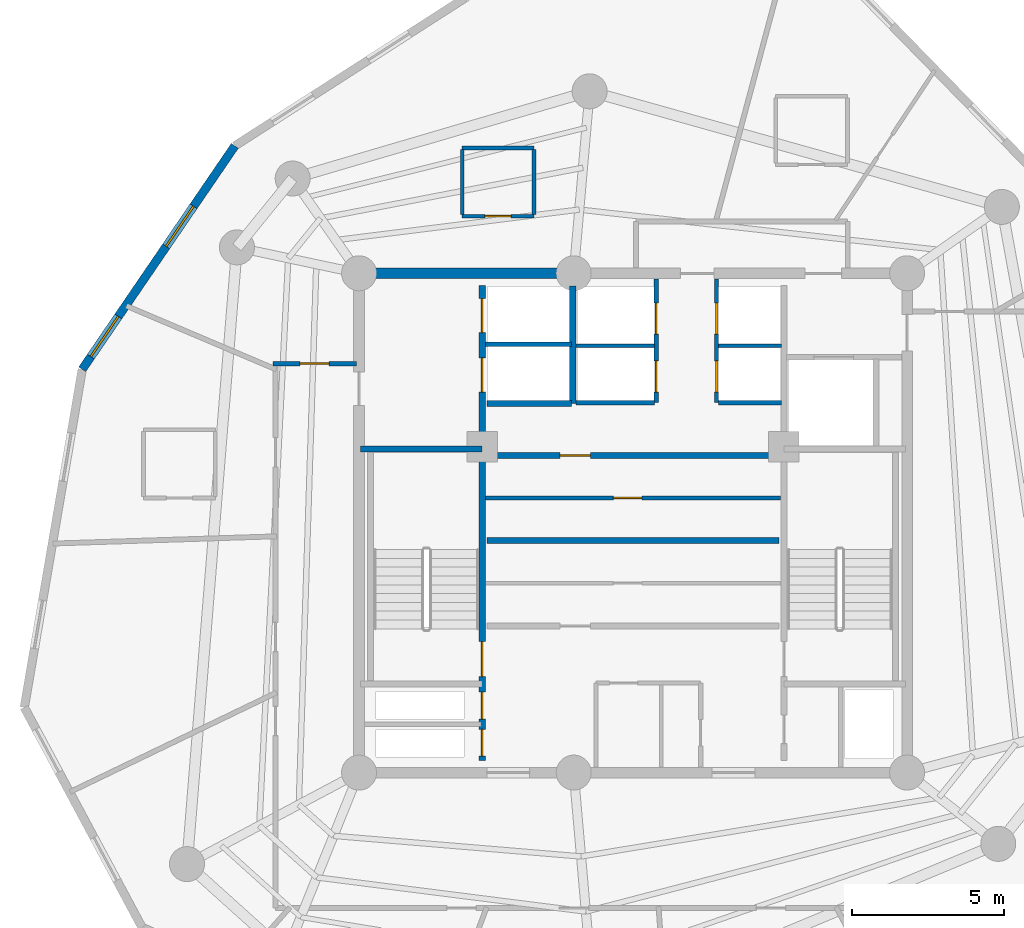
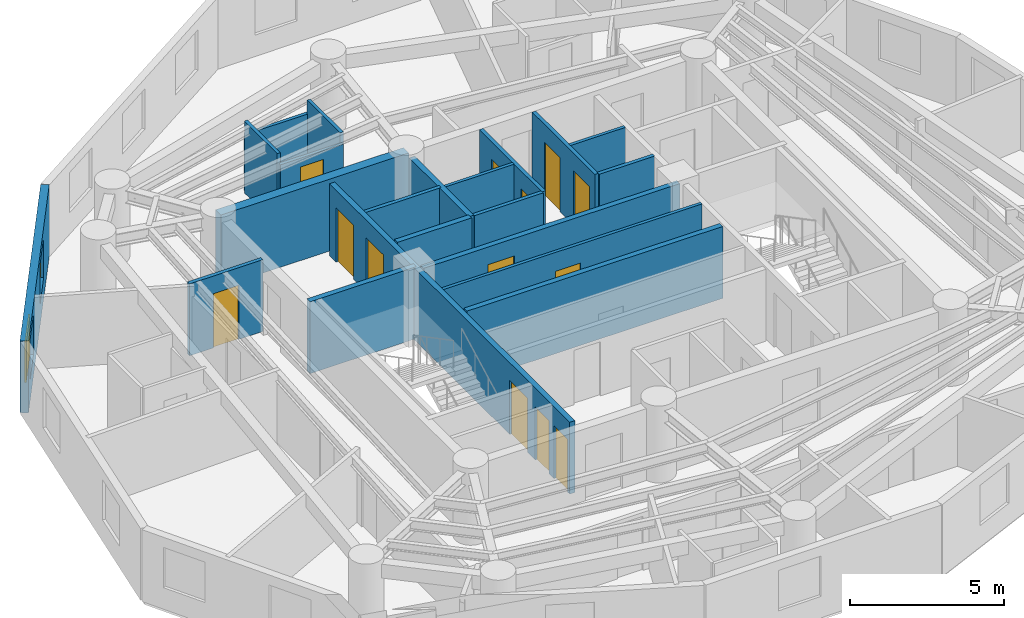
# One storey, part 4 of 7: 21 walls, 13 doors, 2 windows, 15 openings.
"""IFC4 building model written with IfcOpenShell, lengths in metres."""

from ifc_helpers import new_model, si_unit, direction, frame, frame_2d, origin, origin_with_axes, place, context, subcontext, project, spatial, rectangle, extrude, source, transform, mapped, material, layer, layer_set, type_object, element, fill, save


model = new_model("IFC4")

# Units and contexts
model_context = context("Model", 3, precision=1e-05, world=origin(), true_north=direction((0.0, 1.0)))
body_context = subcontext(model_context, "Body", "Model", "MODEL_VIEW")
ifc_project = project(units=[si_unit("LENGTHUNIT", "METRE"), si_unit("AREAUNIT", "SQUARE_METRE"), si_unit("VOLUMEUNIT", "CUBIC_METRE"), si_unit("PLANEANGLEUNIT", "RADIAN"), si_unit("MASSUNIT", "GRAM", prefix="KILO")], contexts=[model_context])

# Site, building, storey
site_placement = place(None, origin())
site = spatial("IfcSite", under=ifc_project, at=site_placement, CompositionType="ELEMENT")
building_placement = place(site_placement, origin())
building = spatial("IfcBuilding", under=site, at=building_placement, Name="Karkom Vertical University and Central Library", CompositionType="ELEMENT")
storey_placement = place(building_placement, frame((0.0, 0.0, 256.550048828125)))
storey = spatial("IfcBuildingStorey", under=building, at=storey_placement, Name="L76", CompositionType="ELEMENT", Elevation=256.550048828125)

# Wall, openings, windows
ifc_material_1 = material(Name="Brick-faced precast concrete C45/55", Category="masonry")
ifc_layer_1 = layer(ifc_material_1, 0.280029296875)
ifc_layer_set_1 = layer_set([ifc_layer_1], Name="Brick-faced precast concrete C45/55")
wall_type_1 = type_object("IfcWallType", Name="ENV-WL-BRK-280", PredefinedType="SOLIDWALL", material=ifc_layer_set_1)
wall_1_placement = place(storey_placement, frame((15.41943359375, 38.886962890625, 0.0), z_axis=(0.0, 0.0, 1.0), x_axis=(-0.564013262642, -0.825765729226, 0.0)))
wall_1 = element("IfcWall", 1, at=wall_1_placement, inside=storey, type_object=wall_type_1, Name="Level 76 Brick-Faced Precast Facade Wall 11", PredefinedType="SOLIDWALL", context=body_context, shape_type="SweptSolid", body=[
    extrude(rectangle(XDim=8.8896484375, YDim=0.280029296875, at=frame_2d((4.44482421875, 0.0))), origin(), (0.0, 0.0, 1.0), 2.849853515625),
])
opening_1_placement = place(wall_1_placement, frame((2.401611328125, 0.0, 0.85009765625)))
opening_1 = element("IfcOpeningElement", 2, at=opening_1_placement, cuts=wall_1, Name="Opening WN-10", PredefinedType="OPENING", context=body_context, shape_type="SweptSolid", body=[
    extrude(rectangle(XDim=1.60009765625, YDim=1.60009765625, at=frame_2d((0.800048828125, 0.800048828125))), frame((0.0, 0.14990234375, 0.0), z_axis=(0.0, -1.0, 0.0), x_axis=(1.0, 0.0, 0.0)), (0.0, 0.0, 1.0), 0.300048828125),
])
opening_2_placement = place(wall_1_placement, frame((6.786376953125, 0.0, 0.85009765625)))
opening_2 = element("IfcOpeningElement", 3, at=opening_2_placement, cuts=wall_1, Name="Opening WN-10", PredefinedType="OPENING", context=body_context, shape_type="SweptSolid", body=[
    extrude(rectangle(XDim=1.60009765625, YDim=1.60009765625, at=frame_2d((0.800048828125, 0.800048828125))), frame((0.0, 0.14990234375, 0.0), z_axis=(0.0, -1.0, 0.0), x_axis=(1.0, 0.0, 0.0)), (0.0, 0.0, 1.0), 0.300048828125),
])
ifc_material_2 = material(Name="Aluminium thermal-break frame with solar-control IGU", Category="aluminium")
window_type = type_object("IfcWindowType", Name="ENV-WIN-WN-10", PartitioningType="SINGLE_PANEL", PredefinedType="WINDOW", material=ifc_material_2)
shared_shape_1 = source(origin_with_axes(), body_context, "Body", "SweptSolid", [
    extrude(rectangle(XDim=1.60009765625, YDim=1.60009765625, at=frame_2d((0.800048828125, 0.800048828125))), frame((0.0, 0.030029296875, 0.0), z_axis=(0.0, -1.0, 0.0), x_axis=(1.0, 0.0, 0.0)), (0.0, 0.0, 1.0), 0.06005859375),
])
window_1_placement = place(opening_1_placement, origin())
window_1 = element("IfcWindow", 4, at=window_1_placement, inside=storey, type_object=window_type, Name="Level 76 Punched Window 11.1", OverallHeight=1.60009765625, OverallWidth=1.60009765625, PartitioningType="SINGLE_PANEL", PredefinedType="WINDOW", context=body_context, shape_type="MappedRepresentation", body=[
    mapped(shared_shape_1, transform((0.0, 0.0, 0.0), scale=1.0)),
])
fill(opening_1, window_1)
window_2_placement = place(opening_2_placement, origin())
window_2 = element("IfcWindow", 5, at=window_2_placement, inside=storey, type_object=window_type, Name="Level 76 Punched Window 11.2", OverallHeight=1.60009765625, OverallWidth=1.60009765625, PartitioningType="SINGLE_PANEL", PredefinedType="WINDOW", context=body_context, shape_type="MappedRepresentation", body=[
    mapped(shared_shape_1, transform((0.0, 0.0, 0.0), scale=1.0)),
])
fill(opening_2, window_2)

# Wall, opening, door
ifc_material_3 = material(Name="Moisture-resistant drywall 120mm", Category="gypsum")
ifc_layer_2 = layer(ifc_material_3, 0.1201171875)
ifc_layer_set_2 = layer_set([ifc_layer_2], Name="Moisture-resistant drywall 120mm")
wall_type_2 = type_object("IfcWallType", Name="INT-WL-INT-120F", PredefinedType="PARTITIONING", material=ifc_layer_set_2)
wall_2_placement = place(storey_placement, frame((23.652099609375, 27.320068359375, 0.0), z_axis=(0.0, 0.0, 1.0), x_axis=(1.0, 0.0, 0.0)))
wall_2 = element("IfcWall", 6, at=wall_2_placement, inside=storey, type_object=wall_type_2, Name="Level 76 Interior Partition Wall L76-CW-B2-K3H", PredefinedType="PARTITIONING", context=body_context, shape_type="SweptSolid", body=[
    extrude(rectangle(XDim=9.697509765625, YDim=0.1201171875, at=frame_2d((4.8486328125, 0.0))), origin(), (0.0, 0.0, 1.0), 2.849853515625),
])
opening_3_placement = place(wall_2_placement, frame((4.199951171875, 0.0, 0.0)))
opening_3 = element("IfcOpeningElement", 7, at=opening_3_placement, cuts=wall_2, Name="Opening D-WC1", PredefinedType="OPENING", context=body_context, shape_type="SweptSolid", body=[
    extrude(rectangle(XDim=0.93994140625, YDim=2.10009765625, at=frame_2d((0.469970703125, 1.050048828125))), frame((0.0, 0.070068359375, 0.0), z_axis=(0.0, -1.0, 0.0), x_axis=(1.0, 0.0, 0.0)), (0.0, 0.0, 1.0), 0.14013671875),
])
ifc_material_4 = material(Name="Fire-rated laminate moisture-resistant door", Category="wood")
door_type_1 = type_object("IfcDoorType", Name="INT-DR-WC1", OperationType="NOTDEFINED", PredefinedType="DOOR", material=ifc_material_4)
shared_shape_2 = source(origin_with_axes(), body_context, "Body", "SweptSolid", [
    extrude(rectangle(XDim=0.93994140625, YDim=2.10009765625, at=frame_2d((0.469970703125, 1.050048828125))), frame((0.0, 0.02490234375, 0.0), z_axis=(0.0, -1.0, 0.0), x_axis=(1.0, 0.0, 0.0)), (0.0, 0.0, 1.0), 0.050048828125),
])
door_1_placement = place(opening_3_placement, origin())
door_1 = element("IfcDoor", 8, at=door_1_placement, inside=storey, type_object=door_type_1, Name="Level 76 B2 Core WC Strip Door", OperationType="SINGLE_SWING_LEFT", OverallHeight=2.10009765625, OverallWidth=0.93994140625, PredefinedType="DOOR", context=body_context, shape_type="MappedRepresentation", body=[
    mapped(shared_shape_2, transform((0.0, 0.0, 0.0), scale=1.0)),
])
fill(opening_3, door_1)

wall_3_placement = place(storey_placement, frame((22.885009765625, 36.575927734375, 0.0), z_axis=(0.0, 0.0, 1.0), x_axis=(1.0, 0.0, 0.0)))
wall_3 = element("IfcWall", 9, at=wall_3_placement, inside=storey, type_object=wall_type_2, Name="Level 76 Interior Partition Wall L76-ENS-49-S", PredefinedType="PARTITIONING", context=body_context, shape_type="SweptSolid", body=[
    extrude(rectangle(XDim=2.360107421875, YDim=0.1201171875, at=frame_2d((1.18017578125, 0.0))), origin(), (0.0, 0.0, 1.0), 2.449951171875),
])
opening_4_placement = place(wall_3_placement, frame((0.75, 0.0, 0.0)))
opening_4 = element("IfcOpeningElement", 10, at=opening_4_placement, cuts=wall_3, Name="Opening D-BATH", PredefinedType="OPENING", context=body_context, shape_type="SweptSolid", body=[
    extrude(rectangle(XDim=0.860107421875, YDim=2.10009765625, at=frame_2d((0.43017578125, 1.050048828125))), frame((0.0, 0.070068359375, 0.0), z_axis=(0.0, -1.0, 0.0), x_axis=(1.0, 0.0, 0.0)), (0.0, 0.0, 1.0), 0.14013671875),
])
ifc_material_5 = material(Name="Moisture-resistant oak door", Category="wood")
door_type_2 = type_object("IfcDoorType", Name="INT-DR-BATH", OperationType="NOTDEFINED", PredefinedType="DOOR", material=ifc_material_5)
shared_shape_3 = source(origin_with_axes(), body_context, "Body", "SweptSolid", [
    extrude(rectangle(XDim=0.860107421875, YDim=2.10009765625, at=frame_2d((0.43017578125, 1.050048828125))), frame((0.0, 0.02490234375, 0.0), z_axis=(0.0, -1.0, 0.0), x_axis=(1.0, 0.0, 0.0)), (0.0, 0.0, 1.0), 0.050048828125),
])
door_2_placement = place(opening_4_placement, origin())
door_2 = element("IfcDoor", 11, at=door_2_placement, inside=storey, type_object=door_type_2, Name="Level 76 En-Suite Bathroom Door 49", OperationType="SINGLE_SWING_RIGHT", OverallHeight=2.10009765625, OverallWidth=0.860107421875, PredefinedType="DOOR", context=body_context, shape_type="MappedRepresentation", body=[
    mapped(shared_shape_3, transform((0.0, 0.0, 0.0), scale=1.0)),
])
fill(opening_4, door_2)

# Walls
wall_4_placement = place(storey_placement, frame((25.2451171875, 38.81591796875, 0.0), z_axis=(0.0, 0.0, 1.0), x_axis=(-1.0, 0.0, 0.0)))
element("IfcWall", 12, at=wall_4_placement, inside=storey, type_object=wall_type_2, Name="Level 76 Interior Partition Wall L76-ENS-49-N", PredefinedType="PARTITIONING", context=body_context, shape_type="SweptSolid", body=[
    extrude(rectangle(XDim=2.360107421875, YDim=0.1201171875, at=frame_2d((1.18017578125, 0.0))), origin(), (0.0, 0.0, 1.0), 2.300048828125),
])
for number, where, z_axis, x_axis, name in (
    (13, (25.2451171875, 36.6259765625, 0.0), (0.0, 0.0, 1.0), (0.0, 1.0, 0.0), "Level 76 Interior Partition Wall L76-ENS-49-E"),
    (14, (22.885009765625, 38.76611328125, 0.0), (0.0, 0.0, 1.0), (0.0, -1.0, 0.0), "Level 76 Interior Partition Wall L76-ENS-49-W"),
):
    element("IfcWall", number, at=place(storey_placement, frame(where, z_axis=z_axis, x_axis=x_axis)), inside=storey, type_object=wall_type_2, Name=name, PredefinedType="PARTITIONING", context=body_context, shape_type="SweptSolid", body=[
        extrude(rectangle(XDim=2.14013671875, YDim=0.1201171875, at=frame_2d((1.070068359375, 0.0))), origin(), (0.0, 0.0, 1.0), 2.849853515625),
    ])
ifc_layer_3 = layer(ifc_material_3, 0.1201171875)
ifc_layer_set_3 = layer_set([ifc_layer_3], Name="Moisture-resistant drywall 120mm")
wall_type_3 = type_object("IfcWallType", Name="INT-WL-INT-120H", PredefinedType="PARTITIONING", material=ifc_layer_set_3)
wall_5_placement = place(storey_placement, frame((26.6201171875, 32.320068359375, 0.0), z_axis=(0.0, 0.0, 1.0), x_axis=(1.0, 0.0, 0.0)))
element("IfcWall", 15, at=wall_5_placement, inside=storey, type_object=wall_type_3, Name="Level 76 Interior Partition Wall L76-CW-PH-MW", PredefinedType="PARTITIONING", context=body_context, shape_type="SweptSolid", body=[
    extrude(rectangle(XDim=2.579833984375, YDim=0.1201171875, at=frame_2d((1.2900390625, 0.0))), origin(), (0.0, 0.0, 1.0), 2.849853515625),
])
wall_6_placement = place(storey_placement, frame((31.300048828125, 32.320068359375, 0.0), z_axis=(0.0, 0.0, 1.0), x_axis=(1.0, 0.0, 0.0)))
element("IfcWall", 16, at=wall_6_placement, inside=storey, type_object=wall_type_3, Name="Level 76 Interior Partition Wall L76-CW-PH-ME", PredefinedType="PARTITIONING", context=body_context, shape_type="SweptSolid", body=[
    extrude(rectangle(XDim=2.074951171875, YDim=0.1201171875, at=frame_2d((1.03759765625, 0.0))), origin(), (0.0, 0.0, 1.0), 2.849853515625),
])

# Wall, opening, door
ifc_material_6 = material(Name="Metal-stud gypsum partition 140mm", Category="gypsum")
ifc_layer_4 = layer(ifc_material_6, 0.139892578125)
ifc_layer_set_4 = layer_set([ifc_layer_4], Name="Metal-stud gypsum partition 140mm")
wall_type_4 = type_object("IfcWallType", Name="INT-WL-SUB-140", PredefinedType="PARTITIONING", material=ifc_layer_set_4)
wall_7_placement = place(storey_placement, frame((19.419921875, 31.72998046875, 0.0), z_axis=(0.0, 0.0, 1.0), x_axis=(-1.0, 0.0, 0.0)))
wall_7 = element("IfcWall", 17, at=wall_7_placement, inside=storey, type_object=wall_type_4, Name="Level 76 Interior Partition Wall L76-CWALL-418", PredefinedType="PARTITIONING", context=body_context, shape_type="SweptSolid", body=[
    extrude(rectangle(XDim=2.75, YDim=0.139892578125, at=frame_2d((1.375, 0.0))), origin(), (0.0, 0.0, 1.0), 2.849853515625),
])
opening_5_placement = place(wall_7_placement, frame((0.89990234375, 0.0, 0.0)))
opening_5 = element("IfcOpeningElement", 18, at=opening_5_placement, cuts=wall_7, Name="Opening FD-RM2", PredefinedType="OPENING", context=body_context, shape_type="SweptSolid", body=[
    extrude(rectangle(XDim=0.9599609375, YDim=2.14990234375, at=frame_2d((0.47998046875, 1.074951171875))), frame((0.0, 0.080078125, 0.0), z_axis=(0.0, -1.0, 0.0), x_axis=(1.0, 0.0, 0.0)), (0.0, 0.0, 1.0), 0.159912109375),
])
ifc_material_7 = material(Name="Fire-rated oak veneer door", Category="wood")
door_type_3 = type_object("IfcDoorType", Name="INT-DR-FRM2", OperationType="NOTDEFINED", PredefinedType="DOOR", material=ifc_material_7)
shared_shape_4 = source(origin_with_axes(), body_context, "Body", "SweptSolid", [
    extrude(rectangle(XDim=0.9599609375, YDim=2.14990234375, at=frame_2d((0.47998046875, 1.074951171875))), frame((0.0, 0.02490234375, 0.0), z_axis=(0.0, -1.0, 0.0), x_axis=(1.0, 0.0, 0.0)), (0.0, 0.0, 1.0), 0.050048828125),
])
door_3_placement = place(opening_5_placement, origin())
door_3 = element("IfcDoor", 19, at=door_3_placement, inside=storey, type_object=door_type_3, Name="Level 76 Room Entry Door 418", OperationType="SINGLE_SWING_LEFT", OverallHeight=2.14990234375, OverallWidth=0.9599609375, PredefinedType="DOOR", context=body_context, shape_type="MappedRepresentation", body=[
    mapped(shared_shape_4, transform((0.0, 0.0, 0.0), scale=1.0)),
])
fill(opening_5, door_3)

# Wall, openings, doors
ifc_layer_5 = layer(ifc_material_6, 0.139892578125)
ifc_layer_set_5 = layer_set([ifc_layer_5], Name="Metal-stud gypsum partition 140mm")
wall_type_5 = type_object("IfcWallType", Name="INT-WL-SUB-140H", PredefinedType="PARTITIONING", material=ifc_layer_set_5)
wall_8_placement = place(storey_placement, frame((29.260009765625, 30.449951171875, 0.0), z_axis=(0.0, 0.0, 1.0), x_axis=(0.0, 1.0, 0.0)))
wall_8 = element("IfcWall", 20, at=wall_8_placement, inside=storey, type_object=wall_type_5, Name="Level 76 Interior Partition Wall L76-CW-PH-W", PredefinedType="PARTITIONING", context=body_context, shape_type="SweptSolid", body=[
    extrude(rectangle(XDim=4.068115234375, YDim=0.139892578125, at=frame_2d((2.0341796875, 0.0))), origin(), (0.0, 0.0, 1.0), 2.849853515625),
])
opening_6_placement = place(wall_8_placement, frame((0.35009765625, 0.0, 0.0)))
opening_6 = element("IfcOpeningElement", 21, at=opening_6_placement, cuts=wall_8, Name="Opening LD-PH", PredefinedType="OPENING", context=body_context, shape_type="SweptSolid", body=[
    extrude(rectangle(XDim=1.02001953125, YDim=2.14990234375, at=frame_2d((0.510009765625, 1.074951171875))), frame((0.0, 0.080078125, 0.0), z_axis=(0.0, -1.0, 0.0), x_axis=(1.0, 0.0, 0.0)), (0.0, 0.0, 1.0), 0.159912109375),
])
opening_7_placement = place(wall_8_placement, frame((2.25, 0.0, 0.0)))
opening_7 = element("IfcOpeningElement", 22, at=opening_7_placement, cuts=wall_8, Name="Opening LD-PH", PredefinedType="OPENING", context=body_context, shape_type="SweptSolid", body=[
    extrude(rectangle(XDim=1.02001953125, YDim=2.14990234375, at=frame_2d((0.510009765625, 1.074951171875))), frame((0.0, 0.080078125, 0.0), z_axis=(0.0, -1.0, 0.0), x_axis=(1.0, 0.0, 0.0)), (0.0, 0.0, 1.0), 0.159912109375),
])
ifc_material_8 = material(Name="Brushed stainless-steel landing door", Category="steel")
door_type_4 = type_object("IfcDoorType", Name="INT-DR-LD-PH", OperationType="SLIDING_TO_LEFT", PredefinedType="DOOR", material=ifc_material_8)
shared_shape_5 = source(origin_with_axes(), body_context, "Body", "SweptSolid", [
    extrude(rectangle(XDim=1.02001953125, YDim=2.14990234375, at=frame_2d((0.510009765625, 1.074951171875))), frame((0.0, 0.02490234375, 0.0), z_axis=(0.0, -1.0, 0.0), x_axis=(1.0, 0.0, 0.0)), (0.0, 0.0, 1.0), 0.050048828125),
])
door_4_placement = place(opening_6_placement, origin())
door_4 = element("IfcDoor", 23, at=door_4_placement, inside=storey, type_object=door_type_4, Name="Level 76 Lift PH-1 Landing Door", OperationType="SLIDING_TO_LEFT", OverallHeight=2.14990234375, OverallWidth=1.02001953125, PredefinedType="DOOR", context=body_context, shape_type="MappedRepresentation", body=[
    mapped(shared_shape_5, transform((0.0, 0.0, 0.0), scale=1.0)),
])
fill(opening_6, door_4)
door_5_placement = place(opening_7_placement, origin())
door_5 = element("IfcDoor", 24, at=door_5_placement, inside=storey, type_object=door_type_4, Name="Level 76 Lift PH-2 Landing Door", OperationType="SLIDING_TO_LEFT", OverallHeight=2.14990234375, OverallWidth=1.02001953125, PredefinedType="DOOR", context=body_context, shape_type="MappedRepresentation", body=[
    mapped(shared_shape_5, transform((0.0, 0.0, 0.0), scale=1.0)),
])
fill(opening_7, door_5)

wall_9_placement = place(storey_placement, frame((31.239990234375, 30.449951171875, 0.0), z_axis=(0.0, 0.0, 1.0), x_axis=(0.0, 1.0, 0.0)))
wall_9 = element("IfcWall", 25, at=wall_9_placement, inside=storey, type_object=wall_type_5, Name="Level 76 Interior Partition Wall L76-CW-PH-E", PredefinedType="PARTITIONING", context=body_context, shape_type="SweptSolid", body=[
    extrude(rectangle(XDim=4.068115234375, YDim=0.139892578125, at=frame_2d((2.0341796875, 0.0))), origin(), (0.0, 0.0, 1.0), 2.849853515625),
])
opening_8_placement = place(wall_9_placement, frame((0.35009765625, 0.0, 0.0)))
opening_8 = element("IfcOpeningElement", 26, at=opening_8_placement, cuts=wall_9, Name="Opening LD-PH", PredefinedType="OPENING", context=body_context, shape_type="SweptSolid", body=[
    extrude(rectangle(XDim=1.02001953125, YDim=2.14990234375, at=frame_2d((0.510009765625, 1.074951171875))), frame((0.0, 0.080078125, 0.0), z_axis=(0.0, -1.0, 0.0), x_axis=(1.0, 0.0, 0.0)), (0.0, 0.0, 1.0), 0.159912109375),
])
opening_9_placement = place(wall_9_placement, frame((2.25, 0.0, 0.0)))
opening_9 = element("IfcOpeningElement", 27, at=opening_9_placement, cuts=wall_9, Name="Opening LD-PH", PredefinedType="OPENING", context=body_context, shape_type="SweptSolid", body=[
    extrude(rectangle(XDim=1.02001953125, YDim=2.14990234375, at=frame_2d((0.510009765625, 1.074951171875))), frame((0.0, 0.080078125, 0.0), z_axis=(0.0, -1.0, 0.0), x_axis=(1.0, 0.0, 0.0)), (0.0, 0.0, 1.0), 0.159912109375),
])
door_6_placement = place(opening_8_placement, origin())
door_6 = element("IfcDoor", 28, at=door_6_placement, inside=storey, type_object=door_type_4, Name="Level 76 Lift PH-3 Landing Door", OperationType="SLIDING_TO_LEFT", OverallHeight=2.14990234375, OverallWidth=1.02001953125, PredefinedType="DOOR", context=body_context, shape_type="MappedRepresentation", body=[
    mapped(shared_shape_5, transform((0.0, 0.0, 0.0), scale=1.0)),
])
fill(opening_8, door_6)
door_7_placement = place(opening_9_placement, origin())
door_7 = element("IfcDoor", 29, at=door_7_placement, inside=storey, type_object=door_type_4, Name="Level 76 Lift PH-4 Landing Door", OperationType="SLIDING_TO_LEFT", OverallHeight=2.14990234375, OverallWidth=1.02001953125, PredefinedType="DOOR", context=body_context, shape_type="MappedRepresentation", body=[
    mapped(shared_shape_5, transform((0.0, 0.0, 0.0), scale=1.0)),
])
fill(opening_9, door_7)

# Walls
wall_10_placement = place(storey_placement, frame((26.6201171875, 30.449951171875, 0.0), z_axis=(0.0, 0.0, 1.0), x_axis=(1.0, 0.0, 0.0)))
element("IfcWall", 30, at=wall_10_placement, inside=storey, type_object=wall_type_5, Name="Level 76 Interior Partition Wall L76-CW-PH-S1", PredefinedType="PARTITIONING", context=body_context, shape_type="SweptSolid", body=[
    extrude(rectangle(XDim=2.579833984375, YDim=0.139892578125, at=frame_2d((1.2900390625, 0.0))), origin(), (0.0, 0.0, 1.0), 2.849853515625),
])
wall_11_placement = place(storey_placement, frame((31.300048828125, 30.449951171875, 0.0), z_axis=(0.0, 0.0, 1.0), x_axis=(1.0, 0.0, 0.0)))
element("IfcWall", 31, at=wall_11_placement, inside=storey, type_object=wall_type_5, Name="Level 76 Interior Partition Wall L76-CW-PH-S2", PredefinedType="PARTITIONING", context=body_context, shape_type="SweptSolid", body=[
    extrude(rectangle(XDim=2.074951171875, YDim=0.139892578125, at=frame_2d((1.03759765625, 0.0))), origin(), (0.0, 0.0, 1.0), 2.849853515625),
])
ifc_layer_6 = layer(ifc_material_6, 0.139892578125)
ifc_layer_set_6 = layer_set([ifc_layer_6], Name="Metal-stud gypsum partition 140mm")
wall_type_6 = type_object("IfcWallType", Name="INT-WL-SUB-140X", PredefinedType="PARTITIONING", material=ifc_layer_set_6)
wall_12_placement = place(storey_placement, frame((23.652099609375, 32.3701171875, 0.0), z_axis=(0.0, 0.0, 1.0), x_axis=(1.0, 0.0, 0.0)))
element("IfcWall", 32, at=wall_12_placement, inside=storey, type_object=wall_type_6, Name="Level 76 Interior Partition Wall L76-CW-FFL-M", PredefinedType="PARTITIONING", context=body_context, shape_type="SweptSolid", body=[
    extrude(rectangle(XDim=2.827880859375, YDim=0.139892578125, at=frame_2d((1.4140625, 0.0))), origin(), (0.0, 0.0, 1.0), 2.849853515625),
])
ifc_material_9 = material(Name="Concrete C45/55", Category="concrete")
ifc_layer_7 = layer(ifc_material_9, 0.35009765625)
ifc_layer_set_7 = layer_set([ifc_layer_7], Name="Concrete C45/55")
wall_type_7 = type_object("IfcWallType", Name="STR-WL-CW-350", PredefinedType="SHEAR", material=ifc_layer_set_7)
wall_13_placement = place(storey_placement, frame((26.550048828125, 34.699951171875, 0.0), z_axis=(0.0, 0.0, 1.0), x_axis=(-1.0, 0.0, 0.0)))
element("IfcWall", 33, at=wall_13_placement, inside=storey, type_object=wall_type_7, Name="Level 76 Central Core Shear Wall NW2", PredefinedType="SHEAR", context=body_context, shape_type="SweptSolid", body=[
    extrude(rectangle(XDim=7.050048828125, YDim=0.35009765625, at=frame_2d((3.52490234375, 0.0))), origin(), (0.0, 0.0, 1.0), 2.849853515625),
])

# Wall, openings, doors
ifc_layer_8 = layer(ifc_material_9, 0.199951171875)
ifc_layer_set_8 = layer_set([ifc_layer_8], Name="Concrete C45/55")
wall_type_8 = type_object("IfcWallType", Name="STR-WL-ST-200", PredefinedType="SHEAR", material=ifc_layer_set_8)
wall_14_placement = place(storey_placement, frame((23.544921875, 18.699951171875, 0.0), z_axis=(0.0, 0.0, 1.0), x_axis=(0.0, 1.0, 0.0)))
wall_14 = element("IfcWall", 34, at=wall_14_placement, inside=storey, type_object=wall_type_8, Name="Level 76 Core Shaft Wall L76-CW-ST1-E", PredefinedType="SHEAR", context=body_context, shape_type="SweptSolid", body=[
    extrude(rectangle(XDim=15.60009765625, YDim=0.199951171875, at=frame_2d((7.800048828125, 0.0))), origin(), (0.0, 0.0, 1.0), 2.849853515625),
])
opening_10_placement = place(wall_14_placement, frame((2.75, 0.0, 0.0)))
opening_10 = element("IfcOpeningElement", 35, at=opening_10_placement, cuts=wall_14, Name="Opening FD-ST1", PredefinedType="OPENING", context=body_context, shape_type="SweptSolid", body=[
    extrude(rectangle(XDim=1.14990234375, YDim=2.14990234375, at=frame_2d((0.574951171875, 1.074951171875))), frame((0.0, 0.10986328125, 0.0), z_axis=(0.0, -1.0, 0.0), x_axis=(1.0, 0.0, 0.0)), (0.0, 0.0, 1.0), 0.219970703125),
])
opening_11_placement = place(wall_14_placement, frame((0.139892578125, 0.0, 0.0)))
opening_11 = element("IfcOpeningElement", 36, at=opening_11_placement, cuts=wall_14, Name="Opening FD-RIS", PredefinedType="OPENING", context=body_context, shape_type="SweptSolid", body=[
    extrude(rectangle(XDim=0.8798828125, YDim=2.10009765625, at=frame_2d((0.43994140625, 1.050048828125))), frame((0.0, 0.10986328125, 0.0), z_axis=(0.0, -1.0, 0.0), x_axis=(1.0, 0.0, 0.0)), (0.0, 0.0, 1.0), 0.219970703125),
])
opening_12_placement = place(wall_14_placement, frame((1.360107421875, 0.0, 0.0)))
opening_12 = element("IfcOpeningElement", 37, at=opening_12_placement, cuts=wall_14, Name="Opening FD-RIS", PredefinedType="OPENING", context=body_context, shape_type="SweptSolid", body=[
    extrude(rectangle(XDim=0.8798828125, YDim=2.10009765625, at=frame_2d((0.43994140625, 1.050048828125))), frame((0.0, 0.10986328125, 0.0), z_axis=(0.0, -1.0, 0.0), x_axis=(1.0, 0.0, 0.0)), (0.0, 0.0, 1.0), 0.219970703125),
])
opening_13_placement = place(wall_14_placement, frame((12.10009765625, 0.0, 0.0)))
opening_13 = element("IfcOpeningElement", 38, at=opening_13_placement, cuts=wall_14, Name="Opening LD-FFL", PredefinedType="OPENING", context=body_context, shape_type="SweptSolid", body=[
    extrude(rectangle(XDim=1.1201171875, YDim=2.14990234375, at=frame_2d((0.56005859375, 1.074951171875))), frame((0.0, 0.10986328125, 0.0), z_axis=(0.0, -1.0, 0.0), x_axis=(1.0, 0.0, 0.0)), (0.0, 0.0, 1.0), 0.219970703125),
])
opening_14_placement = place(wall_14_placement, frame((14.050048828125, 0.0, 0.0)))
opening_14 = element("IfcOpeningElement", 39, at=opening_14_placement, cuts=wall_14, Name="Opening LD-FFL", PredefinedType="OPENING", context=body_context, shape_type="SweptSolid", body=[
    extrude(rectangle(XDim=1.1201171875, YDim=2.14990234375, at=frame_2d((0.56005859375, 1.074951171875))), frame((0.0, 0.10986328125, 0.0), z_axis=(0.0, -1.0, 0.0), x_axis=(1.0, 0.0, 0.0)), (0.0, 0.0, 1.0), 0.219970703125),
])
ifc_material_10 = material(Name="Painted steel acoustic fire door", Category="steel")
door_type_5 = type_object("IfcDoorType", Name="INT-DR-ST1", OperationType="NOTDEFINED", PredefinedType="DOOR", material=ifc_material_10)
shared_shape_6 = source(origin_with_axes(), body_context, "Body", "SweptSolid", [
    extrude(rectangle(XDim=1.14990234375, YDim=2.14990234375, at=frame_2d((0.574951171875, 1.074951171875))), frame((0.0, 0.02490234375, 0.0), z_axis=(0.0, -1.0, 0.0), x_axis=(1.0, 0.0, 0.0)), (0.0, 0.0, 1.0), 0.050048828125),
])
door_8_placement = place(opening_10_placement, origin())
door_8 = element("IfcDoor", 40, at=door_8_placement, inside=storey, type_object=door_type_5, Name="Level 76 Stair ST-1 Fire Door", OperationType="SINGLE_SWING_RIGHT", OverallHeight=2.14990234375, OverallWidth=1.14990234375, PredefinedType="DOOR", context=body_context, shape_type="MappedRepresentation", body=[
    mapped(shared_shape_6, transform((0.0, 0.0, 0.0), scale=1.0)),
])
fill(opening_10, door_8)
ifc_material_11 = material(Name="Painted steel riser access door", Category="steel")
door_type_6 = type_object("IfcDoorType", Name="INT-DR-RIS", OperationType="NOTDEFINED", PredefinedType="DOOR", material=ifc_material_11)
shared_shape_7 = source(origin_with_axes(), body_context, "Body", "SweptSolid", [
    extrude(rectangle(XDim=0.8798828125, YDim=2.10009765625, at=frame_2d((0.43994140625, 1.050048828125))), frame((0.0, 0.02490234375, 0.0), z_axis=(0.0, -1.0, 0.0), x_axis=(1.0, 0.0, 0.0)), (0.0, 0.0, 1.0), 0.050048828125),
])
door_9_placement = place(opening_11_placement, origin())
door_9 = element("IfcDoor", 41, at=door_9_placement, inside=storey, type_object=door_type_6, Name="Level 76 Electrical Riser Access Door", OperationType="SINGLE_SWING_LEFT", OverallHeight=2.10009765625, OverallWidth=0.8798828125, PredefinedType="DOOR", context=body_context, shape_type="MappedRepresentation", body=[
    mapped(shared_shape_7, transform((0.0, 0.0, 0.0), scale=1.0)),
])
fill(opening_11, door_9)
door_10_placement = place(opening_12_placement, origin())
door_10 = element("IfcDoor", 42, at=door_10_placement, inside=storey, type_object=door_type_6, Name="Level 76 Telecom Riser Access Door", OperationType="SINGLE_SWING_RIGHT", OverallHeight=2.10009765625, OverallWidth=0.8798828125, PredefinedType="DOOR", context=body_context, shape_type="MappedRepresentation", body=[
    mapped(shared_shape_7, transform((0.0, 0.0, 0.0), scale=1.0)),
])
fill(opening_12, door_10)
ifc_material_12 = material(Name="Fire-rated stainless-steel landing door", Category="steel")
door_type_7 = type_object("IfcDoorType", Name="INT-DR-LD-FFL", OperationType="SLIDING_TO_LEFT", PredefinedType="DOOR", material=ifc_material_12)
shared_shape_8 = source(origin_with_axes(), body_context, "Body", "SweptSolid", [
    extrude(rectangle(XDim=1.1201171875, YDim=2.14990234375, at=frame_2d((0.56005859375, 1.074951171875))), frame((0.0, 0.02490234375, 0.0), z_axis=(0.0, -1.0, 0.0), x_axis=(1.0, 0.0, 0.0)), (0.0, 0.0, 1.0), 0.050048828125),
])
door_11_placement = place(opening_13_placement, origin())
door_11 = element("IfcDoor", 43, at=door_11_placement, inside=storey, type_object=door_type_7, Name="Level 76 Firefighting Lift FFL-1 Landing Door", OperationType="SLIDING_TO_LEFT", OverallHeight=2.14990234375, OverallWidth=1.1201171875, PredefinedType="DOOR", context=body_context, shape_type="MappedRepresentation", body=[
    mapped(shared_shape_8, transform((0.0, 0.0, 0.0), scale=1.0)),
])
fill(opening_13, door_11)
door_12_placement = place(opening_14_placement, origin())
door_12 = element("IfcDoor", 44, at=door_12_placement, inside=storey, type_object=door_type_7, Name="Level 76 Firefighting Lift FFL-2 Landing Door", OperationType="SLIDING_TO_RIGHT", OverallHeight=2.14990234375, OverallWidth=1.1201171875, PredefinedType="DOOR", context=body_context, shape_type="MappedRepresentation", body=[
    mapped(shared_shape_8, transform((0.0, 0.0, 0.0), scale=1.0)),
])
fill(opening_14, door_12)

# Wall
wall_15_placement = place(storey_placement, frame((23.699951171875, 25.919921875, 0.0), z_axis=(0.0, 0.0, 1.0), x_axis=(1.0, 0.0, 0.0)))
element("IfcWall", 45, at=wall_15_placement, inside=storey, type_object=wall_type_8, Name="Level 76 Core Shaft Wall L76-CW-B1-N", PredefinedType="SHEAR", context=body_context, shape_type="SweptSolid", body=[
    extrude(rectangle(XDim=9.60009765625, YDim=0.199951171875, at=frame_2d((4.800048828125, 0.0))), origin(), (0.0, 0.0, 1.0), 2.849853515625),
])

# Wall, opening, door
wall_16_placement = place(storey_placement, frame((23.699951171875, 28.719970703125, 0.0), z_axis=(0.0, 0.0, 1.0), x_axis=(1.0, 0.0, 0.0)))
wall_16 = element("IfcWall", 46, at=wall_16_placement, inside=storey, type_object=wall_type_8, Name="Level 76 Core Shaft Wall L76-CW-B2-N", PredefinedType="SHEAR", context=body_context, shape_type="SweptSolid", body=[
    extrude(rectangle(XDim=9.60009765625, YDim=0.199951171875, at=frame_2d((4.800048828125, 0.0))), origin(), (0.0, 0.0, 1.0), 2.849853515625),
])
opening_15_placement = place(wall_16_placement, frame((2.39990234375, 0.0, 0.0)))
opening_15 = element("IfcOpeningElement", 47, at=opening_15_placement, cuts=wall_16, Name="Opening D-STR1", PredefinedType="OPENING", context=body_context, shape_type="SweptSolid", body=[
    extrude(rectangle(XDim=1.0, YDim=2.14990234375, at=frame_2d((0.5, 1.074951171875))), frame((0.0, 0.10986328125, 0.0), z_axis=(0.0, -1.0, 0.0), x_axis=(1.0, 0.0, 0.0)), (0.0, 0.0, 1.0), 0.219970703125),
])
ifc_material_13 = material(Name="Solid-core hardwood fire door", Category="wood")
door_type_8 = type_object("IfcDoorType", Name="INT-DR-STR1", OperationType="NOTDEFINED", PredefinedType="DOOR", material=ifc_material_13)
shared_shape_9 = source(origin_with_axes(), body_context, "Body", "SweptSolid", [
    extrude(rectangle(XDim=1.0, YDim=2.14990234375, at=frame_2d((0.5, 1.074951171875))), frame((0.0, 0.02490234375, 0.0), z_axis=(0.0, -1.0, 0.0), x_axis=(1.0, 0.0, 0.0)), (0.0, 0.0, 1.0), 0.050048828125),
])
door_13_placement = place(opening_15_placement, origin())
door_13 = element("IfcDoor", 48, at=door_13_placement, inside=storey, type_object=door_type_8, Name="Level 76 B2 Archive Strip Door", OperationType="SINGLE_SWING_RIGHT", OverallHeight=2.14990234375, OverallWidth=1.0, PredefinedType="DOOR", context=body_context, shape_type="MappedRepresentation", body=[
    mapped(shared_shape_9, transform((0.0, 0.0, 0.0), scale=1.0)),
])
fill(opening_15, door_13)

# Walls
wall_17_placement = place(storey_placement, frame((19.550048828125, 28.925048828125, 0.0), z_axis=(0.0, 0.0, 1.0), x_axis=(1.0, 0.0, 0.0)))
element("IfcWall", 49, at=wall_17_placement, inside=storey, type_object=wall_type_8, Name="Level 76 Core Shaft Wall L76-CW-ST1-N", PredefinedType="SHEAR", context=body_context, shape_type="SweptSolid", body=[
    extrude(rectangle(XDim=3.994873046875, YDim=0.199951171875, at=frame_2d((1.99755859375, 0.0))), origin(), (0.0, 0.0, 1.0), 2.849853515625),
])
wall_18_placement = place(storey_placement, frame((26.52001953125, 30.419921875, 0.0), z_axis=(0.0, 0.0, 1.0), x_axis=(0.0, 1.0, 0.0)))
element("IfcWall", 50, at=wall_18_placement, inside=storey, type_object=wall_type_8, Name="Level 76 Core Shaft Wall L76-CW-FFL-E", PredefinedType="SHEAR", context=body_context, shape_type="SweptSolid", body=[
    extrude(rectangle(XDim=3.860107421875, YDim=0.199951171875, at=frame_2d((1.93017578125, 0.0))), origin(), (0.0, 0.0, 1.0), 2.849853515625),
])
wall_19_placement = place(storey_placement, frame((23.699951171875, 30.419921875, 0.0), z_axis=(0.0, 0.0, 1.0), x_axis=(1.0, 0.0, 0.0)))
element("IfcWall", 51, at=wall_19_placement, inside=storey, type_object=wall_type_8, Name="Level 76 Core Shaft Wall L76-CW-FFL-S", PredefinedType="SHEAR", context=body_context, shape_type="SweptSolid", body=[
    extrude(rectangle(XDim=2.780029296875, YDim=0.199951171875, at=frame_2d((1.39013671875, 0.0))), origin(), (0.0, 0.0, 1.0), 2.849853515625),
])

save(model, "model.ifc")
